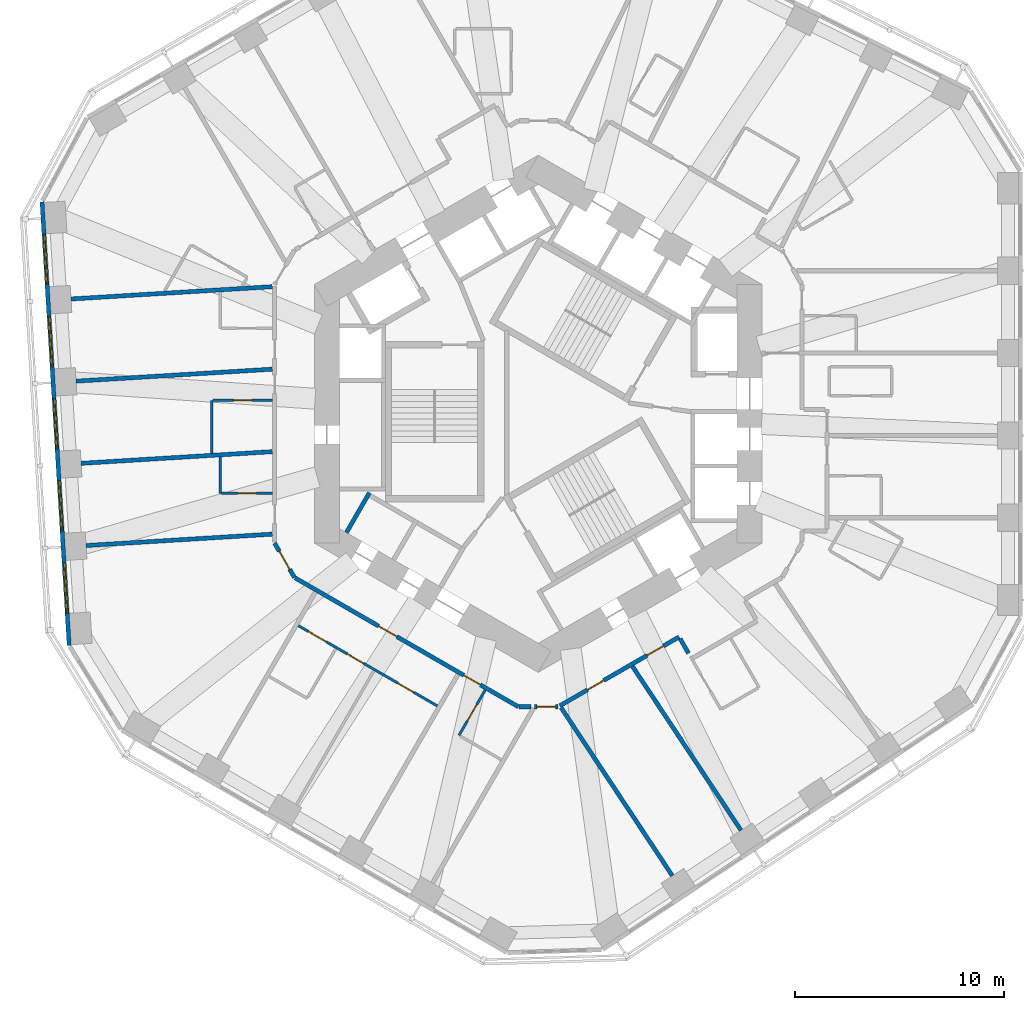
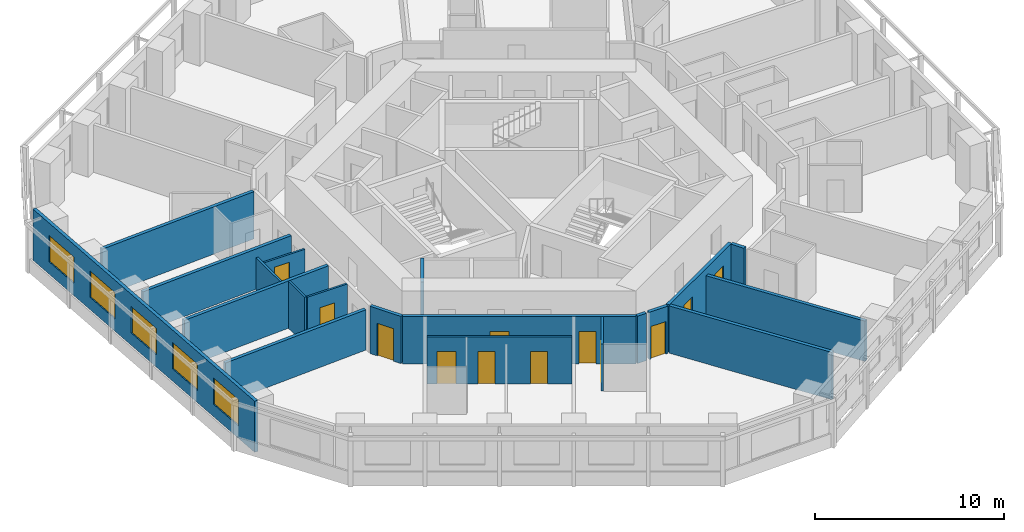
# One storey, part 4 of 12: 20 walls, 12 doors, 5 windows, 17 openings.
"""IFC4 building model written with IfcOpenShell, lengths in metres."""

from ifc_helpers import new_model, si_unit, direction, frame, frame_2d, origin, place, context, subcontext, project, spatial, rectangle, extrude, material, layer, layer_set, type_object, element, fill, save


model = new_model("IFC4")

# Units and contexts
model_context = context("Model", 3, precision=1e-05, world=origin(), true_north=direction((0.0, 1.0)))
body_context = subcontext(model_context, "Body", "Model", "MODEL_VIEW")
ifc_project = project(units=[si_unit("LENGTHUNIT", "METRE"), si_unit("AREAUNIT", "SQUARE_METRE"), si_unit("VOLUMEUNIT", "CUBIC_METRE"), si_unit("PLANEANGLEUNIT", "RADIAN"), si_unit("MASSUNIT", "GRAM", prefix="KILO")], contexts=[model_context])

# Site, building, storey
site_placement = place(None, origin())
site = spatial("IfcSite", under=ifc_project, at=site_placement, CompositionType="ELEMENT")
building_placement = place(site_placement, origin())
building = spatial("IfcBuilding", under=site, at=building_placement, Name="Vanh Sen Convention Tower", CompositionType="ELEMENT")
storey_placement = place(building_placement, frame((0.0, 0.0, 60.5)))
storey = spatial("IfcBuildingStorey", under=building, at=storey_placement, Name="L12", CompositionType="ELEMENT", Elevation=60.5)

# Wall
ifc_material_1 = material(Name="Moisture-resistant gypsum board on steel studs", Category="steel")
ifc_layer_1 = layer(ifc_material_1, 0.1201171875)
ifc_layer_set_1 = layer_set([ifc_layer_1], Name="Moisture-resistant gypsum board on steel studs")
wall_type_1 = type_object("IfcWallType", Name="Bathroom partition 120", PredefinedType="PARTITIONING", material=ifc_layer_set_1)
wall_1_placement = place(storey_placement, frame((-15.60009765625, -1.885986328125, 0.0), z_axis=(0.0, 0.0, 1.0), x_axis=(0.0, 1.0, 0.0)))
element("IfcWall", 1, at=wall_1_placement, inside=storey, type_object=wall_type_1, Name="Bathroom partition 120", PredefinedType="PARTITIONING", context=body_context, shape_type="SweptSolid", body=[
    extrude(rectangle(XDim=2.525390625, YDim=0.1201171875, at=frame_2d((1.2626953125, 0.0))), origin(), (0.0, 0.0, 1.0), 3.050048828125),
])

# Wall, opening, door
wall_2_placement = place(storey_placement, frame((-15.5400390625, 0.639404296875, 0.0), z_axis=(0.0, 0.0, 1.0), x_axis=(1.0, 0.0, 0.0)))
wall_2 = element("IfcWall", 2, at=wall_2_placement, inside=storey, type_object=wall_type_1, Name="Bathroom partition 120", PredefinedType="PARTITIONING", context=body_context, shape_type="SweptSolid", body=[
    extrude(rectangle(XDim=2.840087890625, YDim=0.1201171875, at=frame_2d((1.419921875, 0.0))), origin(), (0.0, 0.0, 1.0), 2.60009765625),
])
opening_1_placement = place(wall_2_placement, frame((0.969970703125, 0.0, 0.0)))
opening_1 = element("IfcOpeningElement", 3, at=opening_1_placement, cuts=wall_2, Name="Opening D10123", PredefinedType="OPENING", context=body_context, shape_type="SweptSolid", body=[
    extrude(rectangle(XDim=0.89990234375, YDim=2.10009765625, at=frame_2d((0.449951171875, 1.050048828125))), frame((0.0, 0.070068359375, 0.0), z_axis=(0.0, -1.0, 0.0), x_axis=(1.0, 0.0, 0.0)), (0.0, 0.0, 1.0), 0.14013671875),
])
ifc_material_2 = material(Name="Laminate door in steel frame", Category="steel")
door_type_1 = type_object("IfcDoorType", Name="En-suite door 900", OperationType="SINGLE_SWING_LEFT", PredefinedType="DOOR", material=ifc_material_2)
door_1_placement = place(opening_1_placement, origin())
door_1 = element("IfcDoor", 4, at=door_1_placement, inside=storey, type_object=door_type_1, Name="En-suite door D10123", OperationType="SINGLE_SWING_LEFT", OverallHeight=2.10009765625, OverallWidth=0.89990234375, PredefinedType="DOOR", context=body_context, shape_type="SweptSolid", body=[
    extrude(rectangle(XDim=0.89990234375, YDim=2.10009765625, at=frame_2d((0.449951171875, 1.050048828125))), frame((0.0, 0.02490234375, 0.0), z_axis=(0.0, -1.0, 0.0), x_axis=(1.0, 0.0, 0.0)), (0.0, 0.0, 1.0), 0.050048828125),
])
fill(opening_1, door_1)

# Wall
wall_3_placement = place(storey_placement, frame((-15.199951171875, -3.802734375, 0.0), z_axis=(0.0, 0.0, 1.0), x_axis=(0.0, 1.0, 0.0)))
element("IfcWall", 5, at=wall_3_placement, inside=storey, type_object=wall_type_1, Name="Bathroom partition 120", PredefinedType="PARTITIONING", context=body_context, shape_type="SweptSolid", body=[
    extrude(rectangle(XDim=1.740966796875, YDim=0.1201171875, at=frame_2d((0.87060546875, 0.0))), origin(), (0.0, 0.0, 1.0), 3.050048828125),
])

# Wall, opening, door
wall_4_placement = place(storey_placement, frame((-12.699951171875, -3.802734375, 0.0), z_axis=(0.0, 0.0, 1.0), x_axis=(-1.0, 0.0, 0.0)))
wall_4 = element("IfcWall", 6, at=wall_4_placement, inside=storey, type_object=wall_type_1, Name="Bathroom partition 120", PredefinedType="PARTITIONING", context=body_context, shape_type="SweptSolid", body=[
    extrude(rectangle(XDim=2.43994140625, YDim=0.1201171875, at=frame_2d((1.219970703125, 0.0))), origin(), (0.0, 0.0, 1.0), 3.050048828125),
])
opening_2_placement = place(wall_4_placement, frame((0.77001953125, 0.0, 0.0)))
opening_2 = element("IfcOpeningElement", 7, at=opening_2_placement, cuts=wall_4, Name="Opening D10125", PredefinedType="OPENING", context=body_context, shape_type="SweptSolid", body=[
    extrude(rectangle(XDim=0.89990234375, YDim=2.10009765625, at=frame_2d((0.449951171875, 1.050048828125))), frame((0.0, 0.070068359375, 0.0), z_axis=(0.0, -1.0, 0.0), x_axis=(1.0, 0.0, 0.0)), (0.0, 0.0, 1.0), 0.14013671875),
])
door_2_placement = place(opening_2_placement, origin())
door_2 = element("IfcDoor", 8, at=door_2_placement, inside=storey, type_object=door_type_1, Name="En-suite door D10125", OperationType="SINGLE_SWING_LEFT", OverallHeight=2.10009765625, OverallWidth=0.89990234375, PredefinedType="DOOR", context=body_context, shape_type="SweptSolid", body=[
    extrude(rectangle(XDim=0.89990234375, YDim=2.10009765625, at=frame_2d((0.449951171875, 1.050048828125))), frame((0.0, 0.02490234375, 0.0), z_axis=(0.0, -1.0, 0.0), x_axis=(1.0, 0.0, 0.0)), (0.0, 0.0, 1.0), 0.050048828125),
])
fill(opening_2, door_2)

# Wall, openings, doors
wall_5_placement = place(storey_placement, frame((-11.462890625, -10.125, 0.0), z_axis=(0.0, 0.0, 1.0), x_axis=(0.866014882148, -0.500018223566, 0.0)))
wall_5 = element("IfcWall", 9, at=wall_5_placement, inside=storey, type_object=wall_type_1, Name="Bathroom partition 120", PredefinedType="PARTITIONING", context=body_context, shape_type="SweptSolid", body=[
    extrude(rectangle(XDim=7.669189453125, YDim=0.1201171875, at=frame_2d((3.83447265625, 0.0))), origin(), (0.0, 0.0, 1.0), 3.050048828125),
])
opening_3_placement = place(wall_5_placement, frame((0.550048828125, 0.0, 0.0)))
opening_3 = element("IfcOpeningElement", 10, at=opening_3_placement, cuts=wall_5, Name="Opening D10128", PredefinedType="OPENING", context=body_context, shape_type="SweptSolid", body=[
    extrude(rectangle(XDim=1.0, YDim=2.10009765625, at=frame_2d((0.5, 1.050048828125))), frame((0.0, 0.070068359375, 0.0), z_axis=(0.0, -1.0, 0.0), x_axis=(1.0, 0.0, 0.0)), (0.0, 0.0, 1.0), 0.14013671875),
])
opening_4_placement = place(wall_5_placement, frame((2.7001953125, 0.0, 0.0)))
opening_4 = element("IfcOpeningElement", 11, at=opening_4_placement, cuts=wall_5, Name="Opening D10129", PredefinedType="OPENING", context=body_context, shape_type="SweptSolid", body=[
    extrude(rectangle(XDim=0.89990234375, YDim=2.10009765625, at=frame_2d((0.449951171875, 1.050048828125))), frame((0.0, 0.070068359375, 0.0), z_axis=(0.0, -1.0, 0.0), x_axis=(1.0, 0.0, 0.0)), (0.0, 0.0, 1.0), 0.14013671875),
])
opening_5_placement = place(wall_5_placement, frame((5.484619140625, 0.0, 0.0)))
opening_5 = element("IfcOpeningElement", 12, at=opening_5_placement, cuts=wall_5, Name="Opening D10130", PredefinedType="OPENING", context=body_context, shape_type="SweptSolid", body=[
    extrude(rectangle(XDim=0.89990234375, YDim=2.10009765625, at=frame_2d((0.449951171875, 1.050048828125))), frame((0.0, 0.070068359375, 0.0), z_axis=(0.0, -1.0, 0.0), x_axis=(1.0, 0.0, 0.0)), (0.0, 0.0, 1.0), 0.14013671875),
])
door_type_2 = type_object("IfcDoorType", Name="Accessible WC door 1000", OperationType="SINGLE_SWING_LEFT", PredefinedType="DOOR", material=ifc_material_2)
door_3_placement = place(opening_3_placement, origin())
door_3 = element("IfcDoor", 13, at=door_3_placement, inside=storey, type_object=door_type_2, Name="Accessible WC door D10128", OperationType="SINGLE_SWING_LEFT", OverallHeight=2.10009765625, OverallWidth=1.0, PredefinedType="DOOR", context=body_context, shape_type="SweptSolid", body=[
    extrude(rectangle(XDim=1.0, YDim=2.10009765625, at=frame_2d((0.5, 1.050048828125))), frame((0.0, 0.02490234375, 0.0), z_axis=(0.0, -1.0, 0.0), x_axis=(1.0, 0.0, 0.0)), (0.0, 0.0, 1.0), 0.050048828125),
])
fill(opening_3, door_3)
door_type_3 = type_object("IfcDoorType", Name="Room internal door 900", OperationType="SINGLE_SWING_LEFT", PredefinedType="DOOR", material=ifc_material_2)
door_4_placement = place(opening_4_placement, origin())
door_4 = element("IfcDoor", 14, at=door_4_placement, inside=storey, type_object=door_type_3, Name="Internal room door D10129", OperationType="SINGLE_SWING_LEFT", OverallHeight=2.10009765625, OverallWidth=0.89990234375, PredefinedType="DOOR", context=body_context, shape_type="SweptSolid", body=[
    extrude(rectangle(XDim=0.89990234375, YDim=2.10009765625, at=frame_2d((0.449951171875, 1.050048828125))), frame((0.0, 0.02490234375, 0.0), z_axis=(0.0, -1.0, 0.0), x_axis=(1.0, 0.0, 0.0)), (0.0, 0.0, 1.0), 0.050048828125),
])
fill(opening_4, door_4)
door_5_placement = place(opening_5_placement, origin())
door_5 = element("IfcDoor", 15, at=door_5_placement, inside=storey, type_object=door_type_3, Name="Internal room door D10130", OperationType="SINGLE_SWING_LEFT", OverallHeight=2.10009765625, OverallWidth=0.89990234375, PredefinedType="DOOR", context=body_context, shape_type="SweptSolid", body=[
    extrude(rectangle(XDim=0.89990234375, YDim=2.10009765625, at=frame_2d((0.449951171875, 1.050048828125))), frame((0.0, 0.02490234375, 0.0), z_axis=(0.0, -1.0, 0.0), x_axis=(1.0, 0.0, 0.0)), (0.0, 0.0, 1.0), 0.050048828125),
])
fill(opening_5, door_5)

# Wall, opening, door
wall_6_placement = place(storey_placement, frame((-3.78564453125, -15.36572265625, 0.0), z_axis=(0.0, 0.0, 1.0), x_axis=(0.500004234368, 0.866022959057, 0.0)))
wall_6 = element("IfcWall", 16, at=wall_6_placement, inside=storey, type_object=wall_type_1, Name="Bathroom partition 120", PredefinedType="PARTITIONING", context=body_context, shape_type="SweptSolid", body=[
    extrude(rectangle(XDim=2.5, YDim=0.1201171875, at=frame_2d((1.25, 0.0))), origin(), (0.0, 0.0, 1.0), 3.050048828125),
])
opening_6_placement = place(wall_6_placement, frame((0.800048828125, 0.0, 0.0)))
opening_6 = element("IfcOpeningElement", 17, at=opening_6_placement, cuts=wall_6, Name="Opening D10132", PredefinedType="OPENING", context=body_context, shape_type="SweptSolid", body=[
    extrude(rectangle(XDim=0.89990234375, YDim=2.10009765625, at=frame_2d((0.449951171875, 1.050048828125))), frame((0.0, 0.070068359375, 0.0), z_axis=(0.0, -1.0, 0.0), x_axis=(1.0, 0.0, 0.0)), (0.0, 0.0, 1.0), 0.14013671875),
])
door_6_placement = place(opening_6_placement, origin())
door_6 = element("IfcDoor", 18, at=door_6_placement, inside=storey, type_object=door_type_1, Name="En-suite door D10132", OperationType="SINGLE_SWING_LEFT", OverallHeight=2.10009765625, OverallWidth=0.89990234375, PredefinedType="DOOR", context=body_context, shape_type="SweptSolid", body=[
    extrude(rectangle(XDim=0.89990234375, YDim=2.10009765625, at=frame_2d((0.449951171875, 1.050048828125))), frame((0.0, 0.02490234375, 0.0), z_axis=(0.0, -1.0, 0.0), x_axis=(1.0, 0.0, 0.0)), (0.0, 0.0, 1.0), 0.050048828125),
])
fill(opening_6, door_6)

ifc_material_3 = material(Name="Gypsum board on steel studs with mineral wool", Category="steel")
ifc_layer_2 = layer(ifc_material_3, 0.199951171875)
ifc_layer_set_2 = layer_set([ifc_layer_2], Name="Gypsum board on steel studs with mineral wool")
wall_type_2 = type_object("IfcWallType", Name="Corridor partition wall 200", PredefinedType="PARTITIONING", material=ifc_layer_set_2)
wall_7_placement = place(storey_placement, frame((-12.60009765625, -6.177490234375, 0.0), z_axis=(0.0, 0.0, 1.0), x_axis=(0.500063520245, -0.865988727248, 0.0)))
wall_7 = element("IfcWall", 19, at=wall_7_placement, inside=storey, type_object=wall_type_2, Name="Corridor partition wall 200", PredefinedType="PARTITIONING", context=body_context, shape_type="SweptSolid", body=[
    extrude(rectangle(XDim=1.900146484375, YDim=0.199951171875, at=frame_2d((0.9501953125, 0.0))), origin(), (0.0, 0.0, 1.0), 3.050048828125),
])
opening_7_placement = place(wall_7_placement, frame((0.449951171875, 0.0, 0.0)))
opening_7 = element("IfcOpeningElement", 20, at=opening_7_placement, cuts=wall_7, Name="Opening D10126", PredefinedType="OPENING", context=body_context, shape_type="SweptSolid", body=[
    extrude(rectangle(XDim=1.0, YDim=2.10009765625, at=frame_2d((0.5, 1.050048828125))), frame((0.0, 0.10986328125, 0.0), z_axis=(0.0, -1.0, 0.0), x_axis=(1.0, 0.0, 0.0)), (0.0, 0.0, 1.0), 0.219970703125),
])
ifc_material_4 = material(Name="Timber fire door in steel frame", Category="steel")
door_type_4 = type_object("IfcDoorType", Name="Floor room door 1000", OperationType="SINGLE_SWING_LEFT", PredefinedType="DOOR", material=ifc_material_4)
door_7_placement = place(opening_7_placement, origin())
door_7 = element("IfcDoor", 21, at=door_7_placement, inside=storey, type_object=door_type_4, Name="Meeting and amenity room door D10126", OperationType="SINGLE_SWING_LEFT", OverallHeight=2.10009765625, OverallWidth=1.0, PredefinedType="DOOR", context=body_context, shape_type="SweptSolid", body=[
    extrude(rectangle(XDim=1.0, YDim=2.10009765625, at=frame_2d((0.5, 1.050048828125))), frame((0.0, 0.02490234375, 0.0), z_axis=(0.0, -1.0, 0.0), x_axis=(1.0, 0.0, 0.0)), (0.0, 0.0, 1.0), 0.050048828125),
])
fill(opening_7, door_7)

# Wall, openings, doors
wall_8_placement = place(storey_placement, frame((-11.615478515625, -7.843017578125, 0.0), z_axis=(0.0, 0.0, 1.0), x_axis=(0.866026466995, -0.499998158461, 0.0)))
wall_8 = element("IfcWall", 22, at=wall_8_placement, inside=storey, type_object=wall_type_2, Name="Corridor partition wall 200", PredefinedType="PARTITIONING", context=body_context, shape_type="SweptSolid", body=[
    extrude(rectangle(XDim=12.3154296875, YDim=0.199951171875, at=frame_2d((6.15771484375, 0.0))), origin(), (0.0, 0.0, 1.0), 3.050048828125),
])
opening_8_placement = place(wall_8_placement, frame((4.607666015625, 0.0, 0.0)))
opening_8 = element("IfcOpeningElement", 23, at=opening_8_placement, cuts=wall_8, Name="Opening D10127", PredefinedType="OPENING", context=body_context, shape_type="SweptSolid", body=[
    extrude(rectangle(XDim=1.0, YDim=2.10009765625, at=frame_2d((0.5, 1.050048828125))), frame((0.0, 0.10986328125, 0.0), z_axis=(0.0, -1.0, 0.0), x_axis=(1.0, 0.0, 0.0)), (0.0, 0.0, 1.0), 0.219970703125),
])
opening_9_placement = place(wall_8_placement, frame((9.317138671875, 0.0, 0.0)))
opening_9 = element("IfcOpeningElement", 24, at=opening_9_placement, cuts=wall_8, Name="Opening D10131", PredefinedType="OPENING", context=body_context, shape_type="SweptSolid", body=[
    extrude(rectangle(XDim=0.89990234375, YDim=2.10009765625, at=frame_2d((0.449951171875, 1.050048828125))), frame((0.0, 0.10986328125, 0.0), z_axis=(0.0, -1.0, 0.0), x_axis=(1.0, 0.0, 0.0)), (0.0, 0.0, 1.0), 0.219970703125),
])
door_8_placement = place(opening_8_placement, origin())
door_8 = element("IfcDoor", 25, at=door_8_placement, inside=storey, type_object=door_type_4, Name="Meeting and amenity room door D10127", OperationType="SINGLE_SWING_LEFT", OverallHeight=2.10009765625, OverallWidth=1.0, PredefinedType="DOOR", context=body_context, shape_type="SweptSolid", body=[
    extrude(rectangle(XDim=1.0, YDim=2.10009765625, at=frame_2d((0.5, 1.050048828125))), frame((0.0, 0.02490234375, 0.0), z_axis=(0.0, -1.0, 0.0), x_axis=(1.0, 0.0, 0.0)), (0.0, 0.0, 1.0), 0.050048828125),
])
fill(opening_8, door_8)
door_type_5 = type_object("IfcDoorType", Name="Guest room door 900", OperationType="SINGLE_SWING_LEFT", PredefinedType="DOOR", material=ifc_material_4)
door_9_placement = place(opening_9_placement, origin())
door_9 = element("IfcDoor", 26, at=door_9_placement, inside=storey, type_object=door_type_5, Name="Hotel guest room door D10131", OperationType="SINGLE_SWING_LEFT", OverallHeight=2.10009765625, OverallWidth=0.89990234375, PredefinedType="DOOR", context=body_context, shape_type="SweptSolid", body=[
    extrude(rectangle(XDim=0.89990234375, YDim=2.10009765625, at=frame_2d((0.449951171875, 1.050048828125))), frame((0.0, 0.02490234375, 0.0), z_axis=(0.0, -1.0, 0.0), x_axis=(1.0, 0.0, 0.0)), (0.0, 0.0, 1.0), 0.050048828125),
])
fill(opening_9, door_9)

# Wall
wall_9_placement = place(storey_placement, frame((-0.909912109375, -14.000732421875, 0.0), z_axis=(0.0, 0.0, 1.0), x_axis=(1.0, 0.0, 0.0)))
element("IfcWall", 27, at=wall_9_placement, inside=storey, type_object=wall_type_2, Name="Corridor partition wall 200", PredefinedType="PARTITIONING", context=body_context, shape_type="SweptSolid", body=[
    extrude(rectangle(XDim=0.559814453125, YDim=0.199951171875, at=frame_2d((0.27978515625, 0.0))), origin(), (0.0, 0.0, 1.0), 3.050048828125),
])

# Wall, opening, door
wall_10_placement = place(storey_placement, frame((-0.186279296875, -14.000732421875, 0.0), z_axis=(0.0, 0.0, 1.0), x_axis=(1.0, 0.0, 0.0)))
wall_10 = element("IfcWall", 28, at=wall_10_placement, inside=storey, type_object=wall_type_2, Name="Corridor partition wall 200", PredefinedType="PARTITIONING", context=body_context, shape_type="SweptSolid", body=[
    extrude(rectangle(XDim=1.13623046875, YDim=0.199951171875, at=frame_2d((0.568115234375, 0.0))), origin(), (0.0, 0.0, 1.0), 3.050048828125),
])
opening_10_placement = place(wall_10_placement, frame((0.1181640625, 0.0, 0.0)))
opening_10 = element("IfcOpeningElement", 29, at=opening_10_placement, cuts=wall_10, Name="Opening D10133", PredefinedType="OPENING", context=body_context, shape_type="SweptSolid", body=[
    extrude(rectangle(XDim=0.89990234375, YDim=2.10009765625, at=frame_2d((0.449951171875, 1.050048828125))), frame((0.0, 0.10986328125, 0.0), z_axis=(0.0, -1.0, 0.0), x_axis=(1.0, 0.0, 0.0)), (0.0, 0.0, 1.0), 0.219970703125),
])
door_type_6 = type_object("IfcDoorType", Name="Floor room door 900", OperationType="SINGLE_SWING_LEFT", PredefinedType="DOOR", material=ifc_material_4)
door_10_placement = place(opening_10_placement, origin())
door_10 = element("IfcDoor", 30, at=door_10_placement, inside=storey, type_object=door_type_6, Name="Meeting and amenity room door D10133", OperationType="SINGLE_SWING_LEFT", OverallHeight=2.10009765625, OverallWidth=0.89990234375, PredefinedType="DOOR", context=body_context, shape_type="SweptSolid", body=[
    extrude(rectangle(XDim=0.89990234375, YDim=2.10009765625, at=frame_2d((0.449951171875, 1.050048828125))), frame((0.0, 0.02490234375, 0.0), z_axis=(0.0, -1.0, 0.0), x_axis=(1.0, 0.0, 0.0)), (0.0, 0.0, 1.0), 0.050048828125),
])
fill(opening_10, door_10)

# Wall, openings, doors
wall_11_placement = place(storey_placement, frame((1.033447265625, -13.95263671875, 0.0), z_axis=(0.0, 0.0, 1.0), x_axis=(0.866017531406, 0.500013635111, 0.0)))
wall_11 = element("IfcWall", 31, at=wall_11_placement, inside=storey, type_object=wall_type_2, Name="Corridor partition wall 200", PredefinedType="PARTITIONING", context=body_context, shape_type="SweptSolid", body=[
    extrude(rectangle(XDim=6.580322265625, YDim=0.199951171875, at=frame_2d((3.2900390625, 0.0))), origin(), (0.0, 0.0, 1.0), 3.050048828125),
])
opening_11_placement = place(wall_11_placement, frame((1.52099609375, 0.0, 0.0)))
opening_11 = element("IfcOpeningElement", 32, at=opening_11_placement, cuts=wall_11, Name="Opening D10134", PredefinedType="OPENING", context=body_context, shape_type="SweptSolid", body=[
    extrude(rectangle(XDim=0.89990234375, YDim=2.10009765625, at=frame_2d((0.449951171875, 1.050048828125))), frame((0.0, 0.10986328125, 0.0), z_axis=(0.0, -1.0, 0.0), x_axis=(1.0, 0.0, 0.0)), (0.0, 0.0, 1.0), 0.219970703125),
])
opening_12_placement = place(wall_11_placement, frame((4.81103515625, 0.0, 0.0)))
opening_12 = element("IfcOpeningElement", 33, at=opening_12_placement, cuts=wall_11, Name="Opening D10135", PredefinedType="OPENING", context=body_context, shape_type="SweptSolid", body=[
    extrude(rectangle(XDim=0.89990234375, YDim=2.10009765625, at=frame_2d((0.449951171875, 1.050048828125))), frame((0.0, 0.10986328125, 0.0), z_axis=(0.0, -1.0, 0.0), x_axis=(1.0, 0.0, 0.0)), (0.0, 0.0, 1.0), 0.219970703125),
])
door_type_7 = type_object("IfcDoorType", Name="Floor service door 900", OperationType="SINGLE_SWING_LEFT", PredefinedType="DOOR", material=ifc_material_4)
door_11_placement = place(opening_11_placement, origin())
door_11 = element("IfcDoor", 34, at=door_11_placement, inside=storey, type_object=door_type_7, Name="Service room door D10134", OperationType="SINGLE_SWING_LEFT", OverallHeight=2.10009765625, OverallWidth=0.89990234375, PredefinedType="DOOR", context=body_context, shape_type="SweptSolid", body=[
    extrude(rectangle(XDim=0.89990234375, YDim=2.10009765625, at=frame_2d((0.449951171875, 1.050048828125))), frame((0.0, 0.02490234375, 0.0), z_axis=(0.0, -1.0, 0.0), x_axis=(1.0, 0.0, 0.0)), (0.0, 0.0, 1.0), 0.050048828125),
])
fill(opening_11, door_11)
door_12_placement = place(opening_12_placement, origin())
door_12 = element("IfcDoor", 35, at=door_12_placement, inside=storey, type_object=door_type_5, Name="Hotel guest room door D10135", OperationType="SINGLE_SWING_LEFT", OverallHeight=2.10009765625, OverallWidth=0.89990234375, PredefinedType="DOOR", context=body_context, shape_type="SweptSolid", body=[
    extrude(rectangle(XDim=0.89990234375, YDim=2.10009765625, at=frame_2d((0.449951171875, 1.050048828125))), frame((0.0, 0.02490234375, 0.0), z_axis=(0.0, -1.0, 0.0), x_axis=(1.0, 0.0, 0.0)), (0.0, 0.0, 1.0), 0.050048828125),
])
fill(opening_12, door_12)

# Wall
wall_12_placement = place(storey_placement, frame((6.781982421875, -10.7490234375, 0.0), z_axis=(0.0, 0.0, 1.0), x_axis=(0.500170954823, -0.865926680471, 0.0)))
element("IfcWall", 36, at=wall_12_placement, inside=storey, type_object=wall_type_2, Name="Corridor partition wall 200", PredefinedType="PARTITIONING", context=body_context, shape_type="SweptSolid", body=[
    extrude(rectangle(XDim=0.801025390625, YDim=0.199951171875, at=frame_2d((0.400390625, 0.0))), origin(), (0.0, 0.0, 1.0), 3.050048828125),
])

# Wall, openings, windows
ifc_material_5 = material(Name="Insulated lightweight infill wall")
ifc_layer_3 = layer(ifc_material_5, 0.199951171875)
ifc_layer_set_3 = layer_set([ifc_layer_3], Name="Insulated lightweight infill wall")
wall_type_3 = type_object("IfcWallType", Name="External wall 200", PredefinedType="STANDARD", material=ifc_layer_set_3)
wall_13_placement = place(storey_placement, frame((-23.712646484375, 10.130859375, 0.0), z_axis=(0.0, 0.0, 1.0), x_axis=(0.061040439785, -0.998135293791, 0.0)))
wall_13 = element("IfcWall", 37, at=wall_13_placement, inside=storey, type_object=wall_type_3, Name="External wall W L12", PredefinedType="STANDARD", context=body_context, shape_type="SweptSolid", body=[
    extrude(rectangle(XDim=21.24609375, YDim=0.199951171875, at=frame_2d((10.623046875, 0.0))), origin(), (0.0, 0.0, 1.0), 3.300048828125),
])
opening_13_placement = place(wall_13_placement, frame((1.552978515625, 0.0, 0.800048828125)))
opening_13 = element("IfcOpeningElement", 38, at=opening_13_placement, cuts=wall_13, Name="Opening WH1-W1", PredefinedType="OPENING", context=body_context, shape_type="SweptSolid", body=[
    extrude(rectangle(XDim=2.39990234375, YDim=1.699951171875, at=frame_2d((1.199951171875, 0.85009765625))), frame((0.0, 0.10986328125, 0.0), z_axis=(0.0, -1.0, 0.0), x_axis=(1.0, 0.0, 0.0)), (0.0, 0.0, 1.0), 0.219970703125),
])
opening_14_placement = place(wall_13_placement, frame((5.48779296875, 0.0, 0.800048828125)))
opening_14 = element("IfcOpeningElement", 39, at=opening_14_placement, cuts=wall_13, Name="Opening WH1-W2", PredefinedType="OPENING", context=body_context, shape_type="SweptSolid", body=[
    extrude(rectangle(XDim=2.39990234375, YDim=1.699951171875, at=frame_2d((1.199951171875, 0.85009765625))), frame((0.0, 0.10986328125, 0.0), z_axis=(0.0, -1.0, 0.0), x_axis=(1.0, 0.0, 0.0)), (0.0, 0.0, 1.0), 0.219970703125),
])
opening_15_placement = place(wall_13_placement, frame((9.42236328125, 0.0, 0.800048828125)))
opening_15 = element("IfcOpeningElement", 40, at=opening_15_placement, cuts=wall_13, Name="Opening WH1-W3", PredefinedType="OPENING", context=body_context, shape_type="SweptSolid", body=[
    extrude(rectangle(XDim=2.39990234375, YDim=1.699951171875, at=frame_2d((1.199951171875, 0.85009765625))), frame((0.0, 0.10986328125, 0.0), z_axis=(0.0, -1.0, 0.0), x_axis=(1.0, 0.0, 0.0)), (0.0, 0.0, 1.0), 0.219970703125),
])
opening_16_placement = place(wall_13_placement, frame((13.35693359375, 0.0, 0.800048828125)))
opening_16 = element("IfcOpeningElement", 41, at=opening_16_placement, cuts=wall_13, Name="Opening WH1-W4", PredefinedType="OPENING", context=body_context, shape_type="SweptSolid", body=[
    extrude(rectangle(XDim=2.39990234375, YDim=1.699951171875, at=frame_2d((1.199951171875, 0.85009765625))), frame((0.0, 0.10986328125, 0.0), z_axis=(0.0, -1.0, 0.0), x_axis=(1.0, 0.0, 0.0)), (0.0, 0.0, 1.0), 0.219970703125),
])
opening_17_placement = place(wall_13_placement, frame((17.29150390625, 0.0, 0.800048828125)))
opening_17 = element("IfcOpeningElement", 42, at=opening_17_placement, cuts=wall_13, Name="Opening WH1-W5", PredefinedType="OPENING", context=body_context, shape_type="SweptSolid", body=[
    extrude(rectangle(XDim=2.39990234375, YDim=1.699951171875, at=frame_2d((1.199951171875, 0.85009765625))), frame((0.0, 0.10986328125, 0.0), z_axis=(0.0, -1.0, 0.0), x_axis=(1.0, 0.0, 0.0)), (0.0, 0.0, 1.0), 0.219970703125),
])
ifc_material_6 = material(Name="Aluminium frame with clear low-emissivity glass", Category="aluminium")
window_type = type_object("IfcWindowType", Name="Hotel window 2400 x 1700", PartitioningType="SINGLE_PANEL", PredefinedType="WINDOW", material=ifc_material_6)
window_1_placement = place(opening_13_placement, origin())
window_1 = element("IfcWindow", 43, at=window_1_placement, inside=storey, type_object=window_type, Name="Window WH1-W1", OverallHeight=1.699951171875, OverallWidth=2.39990234375, PartitioningType="SINGLE_PANEL", PredefinedType="WINDOW", context=body_context, shape_type="SweptSolid", body=[
    extrude(rectangle(XDim=2.39990234375, YDim=1.699951171875, at=frame_2d((1.199951171875, 0.85009765625))), frame((0.0, 0.030029296875, 0.0), z_axis=(0.0, -1.0, 0.0), x_axis=(1.0, 0.0, 0.0)), (0.0, 0.0, 1.0), 0.06005859375),
])
fill(opening_13, window_1)
window_2_placement = place(opening_14_placement, origin())
window_2 = element("IfcWindow", 44, at=window_2_placement, inside=storey, type_object=window_type, Name="Window WH1-W2", OverallHeight=1.699951171875, OverallWidth=2.39990234375, PartitioningType="SINGLE_PANEL", PredefinedType="WINDOW", context=body_context, shape_type="SweptSolid", body=[
    extrude(rectangle(XDim=2.39990234375, YDim=1.699951171875, at=frame_2d((1.199951171875, 0.85009765625))), frame((0.0, 0.030029296875, 0.0), z_axis=(0.0, -1.0, 0.0), x_axis=(1.0, 0.0, 0.0)), (0.0, 0.0, 1.0), 0.06005859375),
])
fill(opening_14, window_2)
window_3_placement = place(opening_15_placement, origin())
window_3 = element("IfcWindow", 45, at=window_3_placement, inside=storey, type_object=window_type, Name="Window WH1-W3", OverallHeight=1.699951171875, OverallWidth=2.39990234375, PartitioningType="SINGLE_PANEL", PredefinedType="WINDOW", context=body_context, shape_type="SweptSolid", body=[
    extrude(rectangle(XDim=2.39990234375, YDim=1.699951171875, at=frame_2d((1.199951171875, 0.85009765625))), frame((0.0, 0.030029296875, 0.0), z_axis=(0.0, -1.0, 0.0), x_axis=(1.0, 0.0, 0.0)), (0.0, 0.0, 1.0), 0.06005859375),
])
fill(opening_15, window_3)
window_4_placement = place(opening_16_placement, origin())
window_4 = element("IfcWindow", 46, at=window_4_placement, inside=storey, type_object=window_type, Name="Window WH1-W4", OverallHeight=1.699951171875, OverallWidth=2.39990234375, PartitioningType="SINGLE_PANEL", PredefinedType="WINDOW", context=body_context, shape_type="SweptSolid", body=[
    extrude(rectangle(XDim=2.39990234375, YDim=1.699951171875, at=frame_2d((1.199951171875, 0.85009765625))), frame((0.0, 0.030029296875, 0.0), z_axis=(0.0, -1.0, 0.0), x_axis=(1.0, 0.0, 0.0)), (0.0, 0.0, 1.0), 0.06005859375),
])
fill(opening_16, window_4)
window_5_placement = place(opening_17_placement, origin())
window_5 = element("IfcWindow", 47, at=window_5_placement, inside=storey, type_object=window_type, Name="Window WH1-W5", OverallHeight=1.699951171875, OverallWidth=2.39990234375, PartitioningType="SINGLE_PANEL", PredefinedType="WINDOW", context=body_context, shape_type="SweptSolid", body=[
    extrude(rectangle(XDim=2.39990234375, YDim=1.699951171875, at=frame_2d((1.199951171875, 0.85009765625))), frame((0.0, 0.030029296875, 0.0), z_axis=(0.0, -1.0, 0.0), x_axis=(1.0, 0.0, 0.0)), (0.0, 0.0, 1.0), 0.06005859375),
])
fill(opening_17, window_5)

# Walls
ifc_layer_4 = layer(ifc_material_3, 0.199951171875)
ifc_layer_set_4 = layer_set([ifc_layer_4], Name="Gypsum board on steel studs with mineral wool")
wall_type_4 = type_object("IfcWallType", Name="Hotel party wall 200", PredefinedType="PARTITIONING", material=ifc_layer_set_4)
wall_14_placement = place(storey_placement, frame((-22.32666015625, 5.486328125, 0.0), z_axis=(0.0, 0.0, 1.0), x_axis=(0.998135194863, 0.061042057435, 0.0)))
element("IfcWall", 48, at=wall_14_placement, inside=storey, type_object=wall_type_4, Name="Hotel party wall 200", PredefinedType="PARTITIONING", context=body_context, shape_type="SweptSolid", body=[
    extrude(rectangle(XDim=9.635009765625, YDim=0.199951171875, at=frame_2d((4.8173828125, 0.0))), origin(), (0.0, 0.0, 1.0), 3.050048828125),
])
wall_15_placement = place(storey_placement, frame((-22.08642578125, 1.55908203125, 0.0), z_axis=(0.0, 0.0, 1.0), x_axis=(0.99813491363, 0.061046655873, 0.0)))
element("IfcWall", 49, at=wall_15_placement, inside=storey, type_object=wall_type_4, Name="Hotel party wall 200", PredefinedType="PARTITIONING", context=body_context, shape_type="SweptSolid", body=[
    extrude(rectangle(XDim=9.394287109375, YDim=0.199951171875, at=frame_2d((4.697265625, 0.0))), origin(), (0.0, 0.0, 1.0), 2.60009765625),
])
wall_16_placement = place(storey_placement, frame((-21.84619140625, -2.3681640625, 0.0), z_axis=(0.0, 0.0, 1.0), x_axis=(0.998134617584, 0.061051496129, 0.0)))
element("IfcWall", 50, at=wall_16_placement, inside=storey, type_object=wall_type_4, Name="Hotel party wall 200", PredefinedType="PARTITIONING", context=body_context, shape_type="SweptSolid", body=[
    extrude(rectangle(XDim=9.153564453125, YDim=0.199951171875, at=frame_2d((4.57666015625, 0.0))), origin(), (0.0, 0.0, 1.0), 3.050048828125),
])
wall_17_placement = place(storey_placement, frame((-21.60595703125, -6.29541015625, 0.0), z_axis=(0.0, 0.0, 1.0), x_axis=(0.998134305525, 0.061056597794, 0.0)))
element("IfcWall", 51, at=wall_17_placement, inside=storey, type_object=wall_type_4, Name="Hotel party wall 200", PredefinedType="PARTITIONING", context=body_context, shape_type="SweptSolid", body=[
    extrude(rectangle(XDim=8.912841796875, YDim=0.199951171875, at=frame_2d((4.45654296875, 0.0))), origin(), (0.0, 0.0, 1.0), 2.60009765625),
])
wall_18_placement = place(storey_placement, frame((6.411865234375, -22.07861328125, 0.0), z_axis=(0.0, 0.0, 1.0), x_axis=(-0.551919507115, 0.83389739037, 0.0)))
element("IfcWall", 52, at=wall_18_placement, inside=storey, type_object=wall_type_4, Name="Hotel party wall 200", PredefinedType="PARTITIONING", context=body_context, shape_type="SweptSolid", body=[
    extrude(rectangle(XDim=9.634765625, YDim=0.199951171875, at=frame_2d((4.8173828125, 0.0))), origin(), (0.0, 0.0, 1.0), 3.050048828125),
])
wall_19_placement = place(storey_placement, frame((9.69287109375, -19.906982421875, 0.0), z_axis=(0.0, 0.0, 1.0), x_axis=(-0.551938394837, 0.833884889121, 0.0)))
element("IfcWall", 53, at=wall_19_placement, inside=storey, type_object=wall_type_4, Name="Hotel party wall 200", PredefinedType="PARTITIONING", context=body_context, shape_type="SweptSolid", body=[
    extrude(rectangle(XDim=9.394287109375, YDim=0.199951171875, at=frame_2d((4.697265625, 0.0))), origin(), (0.0, 0.0, 1.0), 2.60009765625),
])
ifc_material_7 = material(Name="Concrete C40/50", Category="concrete")
ifc_layer_5 = layer(ifc_material_7, 0.199951171875)
ifc_layer_set_5 = layer_set([ifc_layer_5], Name="Concrete C40/50")
wall_type_5 = type_object("IfcWallType", Name="Lift shaft wall 200", PredefinedType="PARTITIONING", material=ifc_layer_set_5)
wall_20_placement = place(storey_placement, frame((-8.066650390625, -3.77197265625, 0.0), z_axis=(0.0, 0.0, 1.0), x_axis=(-0.50002983664, -0.866008176907, 0.0)))
element("IfcWall", 54, at=wall_20_placement, inside=storey, type_object=wall_type_5, Name="Lift shaft wall L12", PredefinedType="PARTITIONING", context=body_context, shape_type="SweptSolid", body=[
    extrude(rectangle(XDim=2.199951171875, YDim=0.199951171875, at=frame_2d((1.10009765625, 0.0))), origin(), (0.0, 0.0, 1.0), 3.050048828125),
])

save(model, "model.ifc")
